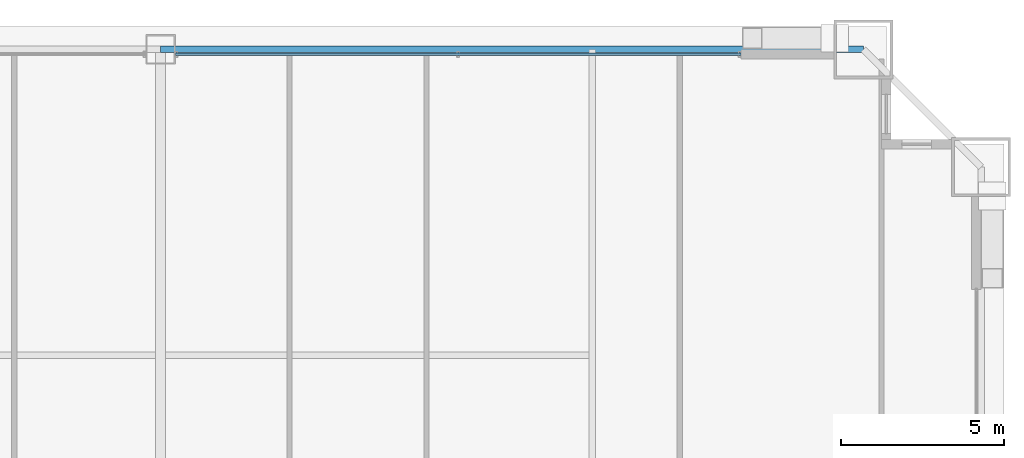
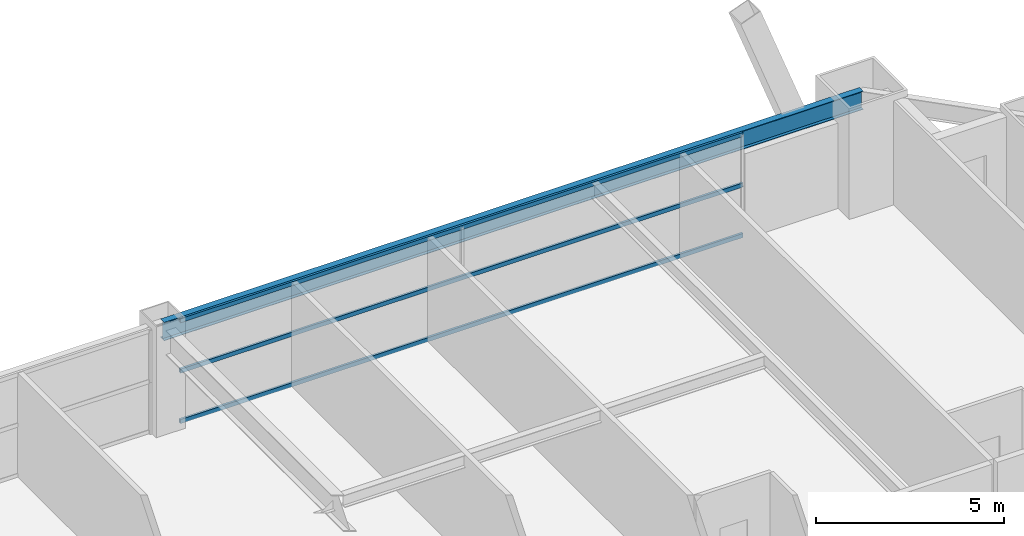
# One storey, part 36 of 43: 3 members, 1 beam, 1 element without a shape of its own.
"""IFC4 building model written with IfcOpenShell, lengths in metres."""

import ifcopenshell
import ifcopenshell.guid

model = None  # the IFC model being written
_history = None  # IfcOwnerHistory: only IFC2X3 demands one
_inside = {}  # id of a spatial element -> (the spatial element, [elements in it])
_under = {}  # id of a project, library or spatial element -> (it, [spatial elements below it])
_declared = {}  # id of a project -> (the project, [libraries it declares])
_typed = {}  # id of a type object -> (the type object, [elements of that type])
_made_of = {}  # id of a material, layer set ... -> (it, [elements and type objects made of it])


def new_model(schema):
    """Start an empty IFC model of exactly this schema.

    Asked for "IFC4X3", IfcOpenShell would pick the latest addendum, in which some entities
    have other attributes; the version numbers below select the first issue.
    IFC2X3 requires an IfcOwnerHistory on every rooted entity: one is made here for all.
    """
    global model, _history
    if schema == "IFC4X3":
        model = ifcopenshell.file(schema_version=(4, 3, 0, 0))
    else:
        model = ifcopenshell.file(schema=schema)
    _inside.clear()
    _under.clear()
    _declared.clear()
    _typed.clear()
    _made_of.clear()
    _history = None
    if model.schema == "IFC2X3":
        org = make("IfcOrganization", Name="unknown")
        user = make(
            "IfcPersonAndOrganization",
            ThePerson=make("IfcPerson", FamilyName="unknown"),
            TheOrganization=org,
        )
        app = make(
            "IfcApplication",
            ApplicationDeveloper=org,
            Version="unknown",
            ApplicationFullName="unknown",
            ApplicationIdentifier="unknown",
        )
        _history = make(
            "IfcOwnerHistory",
            OwningUser=user,
            OwningApplication=app,
            ChangeAction="ADDED",
            CreationDate=0,
        )
    return model


def make(cls, **values):
    """One entity of the class cls with the attributes given. An attribute that is None is left unset."""
    return model.create_entity(
        cls, **{name: value for name, value in values.items() if value is not None}
    )


def rooted(cls, **values):
    """An entity with a GlobalId (a new one), such as an element, a storey or a relation."""
    return make(cls, GlobalId=ifcopenshell.guid.new(), OwnerHistory=_history, **values)


def si_unit(unit_type, name, prefix=None):
    """IfcSIUnit, for example si_unit("LENGTHUNIT", "METRE", prefix="MILLI")."""
    return make("IfcSIUnit", UnitType=unit_type, Prefix=prefix, Name=name)


def assignment(units):
    """IfcUnitAssignment: the units of a project."""
    return None if units is None else make("IfcUnitAssignment", Units=units)


def point(xyz):
    """IfcCartesianPoint."""
    return None if xyz is None else make("IfcCartesianPoint", Coordinates=xyz)


def direction(xyz):
    """IfcDirection."""
    return None if xyz is None else make("IfcDirection", DirectionRatios=xyz)


def frame(location, z_axis=None, x_axis=None):
    """IfcAxis2Placement3D, a coordinate frame: its origin and axes. An axis left out is left unset."""
    return make(
        "IfcAxis2Placement3D",
        Location=point(location),
        Axis=direction(z_axis),
        RefDirection=direction(x_axis),
    )


def frame_2d(location, x_axis=None):
    """IfcAxis2Placement2D, a coordinate frame in the plane: its origin and x axis."""
    return make(
        "IfcAxis2Placement2D", Location=point(location), RefDirection=direction(x_axis)
    )


def origin():
    """The frame at (0, 0, 0) with its axes left unset."""
    return frame((0.0, 0.0, 0.0))


def origin_2d():
    """The frame at (0, 0) in the plane with its x axis left unset."""
    return frame_2d((0.0, 0.0))


def place(relative_to, where):
    """IfcLocalPlacement: puts the frame where relative to a parent placement (None: the world)."""
    return make(
        "IfcLocalPlacement", PlacementRelTo=relative_to, RelativePlacement=where
    )


def context(
    kind, dimensions, precision=None, world=None, true_north=None, identifier=None
):
    """IfcGeometricRepresentationContext, for example the 3D "Model" context."""
    return make(
        "IfcGeometricRepresentationContext",
        ContextIdentifier=identifier,
        ContextType=kind,
        CoordinateSpaceDimension=dimensions,
        Precision=precision,
        WorldCoordinateSystem=world,
        TrueNorth=true_north,
    )


def subcontext(parent, identifier, kind, view, scale=None):
    """IfcGeometricRepresentationSubContext, for example "Body" below "Model"."""
    return make(
        "IfcGeometricRepresentationSubContext",
        ContextIdentifier=identifier,
        ContextType=kind,
        ParentContext=parent,
        TargetScale=scale,
        TargetView=view,
    )


def project(units=None, contexts=None):
    """IfcProject with its units and contexts."""
    return rooted(
        "IfcProject",
        Name="project",
        RepresentationContexts=contexts,
        UnitsInContext=assignment(units),
    )


def spatial(cls, under=None, at=None, **own):
    """A site, building, storey or space (cls), placed at a placement, below another one or the project."""
    s = rooted(cls, ObjectPlacement=at, **own)
    if under is not None:
        _under.setdefault(under.id(), (under, []))[1].append(s)
    return s


def profile(cls, at=None, kind="AREA", **sizes):
    """A parametric profile (cls). Its sizes go by their IFC names, for example OverallWidth=200.0."""
    return make(cls, ProfileType=kind, Position=at, **sizes)


def hollow_rectangle(**sizes):
    """IfcRectangleHollowProfileDef."""
    return profile("IfcRectangleHollowProfileDef", **sizes)


def i_section(**sizes):
    """IfcIShapeProfileDef."""
    return profile("IfcIShapeProfileDef", **sizes)


def extrude(swept, where, along, depth):
    """IfcExtrudedAreaSolid: the profile swept, set in the frame where, extruded along a direction by depth."""
    return make(
        "IfcExtrudedAreaSolid",
        SweptArea=swept,
        Position=where,
        ExtrudedDirection=direction(along),
        Depth=depth,
    )


def shape(context_of_items, identifier, shape_type, items):
    """IfcShapeRepresentation: the items that make up one representation, for example the "Body"."""
    return make(
        "IfcShapeRepresentation",
        ContextOfItems=context_of_items,
        RepresentationIdentifier=identifier,
        RepresentationType=shape_type,
        Items=items,
    )


def source(mapping_origin, context_of_items, identifier, shape_type, items):
    """IfcRepresentationMap: a shape defined once, which mapped items show again and again."""
    return make(
        "IfcRepresentationMap",
        MappingOrigin=mapping_origin,
        MappedRepresentation=shape(context_of_items, identifier, shape_type, items),
    )


def transform(
    local_origin,
    x_axis=None,
    y_axis=None,
    z_axis=None,
    scale=None,
    scale2=None,
    scale3=None,
    uniform=True,
):
    """IfcCartesianTransformationOperator3D, or its non-uniform kind. x_axis, y_axis, z_axis: its Axis1, 2, 3."""
    if uniform:
        return make(
            "IfcCartesianTransformationOperator3D",
            Axis1=direction(x_axis),
            Axis2=direction(y_axis),
            LocalOrigin=point(local_origin),
            Scale=scale,
            Axis3=direction(z_axis),
        )
    return make(
        "IfcCartesianTransformationOperator3DnonUniform",
        Axis1=direction(x_axis),
        Axis2=direction(y_axis),
        LocalOrigin=point(local_origin),
        Scale=scale,
        Axis3=direction(z_axis),
        Scale2=scale2,
        Scale3=scale3,
    )


def mapped(mapping_source, mapping_target):
    """IfcMappedItem: shows the shape of a source again, moved by a transform."""
    return make(
        "IfcMappedItem", MappingSource=mapping_source, MappingTarget=mapping_target
    )


def material(Name=None, Category=None):
    """IfcMaterial."""
    return make("IfcMaterial", Name=Name, Category=Category)


def layer(
    of_material, thickness, ventilated=None, Name=None, Category=None, Priority=None
):
    """IfcMaterialLayer: one layer of a wall or slab, of a material (None: an air gap)."""
    return make(
        "IfcMaterialLayer",
        Material=of_material,
        LayerThickness=thickness,
        IsVentilated=ventilated,
        Name=Name,
        Category=Category,
        Priority=Priority,
    )


def layer_set(layers, Name=None):
    """IfcMaterialLayerSet."""
    return make("IfcMaterialLayerSet", MaterialLayers=layers, LayerSetName=Name)


def material_profile(
    of_material, cross_section, Name=None, Category=None, Priority=None
):
    """IfcMaterialProfile: a cross section and its material."""
    return make(
        "IfcMaterialProfile",
        Name=Name,
        Material=of_material,
        Profile=cross_section,
        Priority=Priority,
        Category=Category,
    )


def profile_set(profiles, Name=None, composite=None):
    """IfcMaterialProfileSet."""
    return make(
        "IfcMaterialProfileSet",
        Name=Name,
        MaterialProfiles=profiles,
        CompositeProfile=composite,
    )


def made_of(thing, what):
    """Note that an element or type object is made of a material, layer set ...; save() writes the relation."""
    if what is not None:
        _made_of.setdefault(what.id(), (what, []))[1].append(thing)
    return thing


def type_object(cls, material=None, **own):
    """A type object (cls), such as IfcWallType, which elements share."""
    return made_of(rooted(cls, **own), material)


def element(
    cls,
    number,
    at=None,
    inside=None,
    cuts=None,
    type_object=None,
    material=None,
    context=None,
    identifier="Body",
    shape_type=None,
    held_by="IfcProductDefinitionShape",
    body=None,
    shapes=None,
    **own,
):
    """One element of the class cls, such as IfcWall. Its Tag is "e" and its number.

    at: its placement. inside: the storey or other place that contains it. cuts: it is an
    opening in that element (IfcRelVoidsElement). A single representation is given by context,
    identifier, shape_type and body (its items); several are given by shapes. held_by: the class
    of the entity that holds the representations. save() writes the other relations.
    """
    e = rooted(cls, Tag="e%d" % number, ObjectPlacement=at, **own)
    if body is not None:
        shapes = [shape(context, identifier, shape_type, body)]
    if shapes is not None:
        e.Representation = make(held_by, Representations=shapes)
    if inside is not None:
        _inside.setdefault(inside.id(), (inside, []))[1].append(e)
    if cuts is not None:
        rooted(
            "IfcRelVoidsElement", RelatingBuildingElement=cuts, RelatedOpeningElement=e
        )
    if type_object is not None:
        _typed.setdefault(type_object.id(), (type_object, []))[1].append(e)
    return made_of(e, material)


def aggregate(whole, parts):
    """IfcRelAggregates: a whole, such as a stair, and the parts it consists of."""
    return rooted("IfcRelAggregates", RelatingObject=whole, RelatedObjects=parts)


def save(model, path):
    """Write the relations noted so far, then the file.

    IfcRelAggregates (storeys below a building ...), IfcRelContainedInSpatialStructure (elements
    in a storey), IfcRelDefinesByType, IfcRelAssociatesMaterial and IfcRelDeclares: one each for
    every whole, place, type object, material and project.
    """
    for whole, parts in _under.values():
        aggregate(whole, parts)
    for where, things in _inside.values():
        rooted(
            "IfcRelContainedInSpatialStructure",
            RelatedElements=things,
            RelatingStructure=where,
        )
    for kind, things in _typed.values():
        rooted("IfcRelDefinesByType", RelatedObjects=things, RelatingType=kind)
    for what, things in _made_of.values():
        rooted("IfcRelAssociatesMaterial", RelatedObjects=things, RelatingMaterial=what)
    for by, libraries in _declared.values():
        rooted("IfcRelDeclares", RelatingContext=by, RelatedDefinitions=libraries)
    model.write(path)


model = new_model("IFC4")

# Units and contexts
model_context = context("Model", 3, precision=1e-05, world=origin(), true_north=direction((0.0, 1.0)))
body_context = subcontext(model_context, "Body", "Model", "MODEL_VIEW")
ifc_project = project(units=[si_unit("LENGTHUNIT", "METRE"), si_unit("AREAUNIT", "SQUARE_METRE"), si_unit("VOLUMEUNIT", "CUBIC_METRE"), si_unit("PLANEANGLEUNIT", "RADIAN"), si_unit("MASSUNIT", "GRAM", prefix="KILO"), si_unit("THERMODYNAMICTEMPERATUREUNIT", "KELVIN"), si_unit("POWERUNIT", "WATT")], contexts=[model_context])

# Site, building, storey
site_placement = place(None, origin())
site = spatial("IfcSite", under=ifc_project, at=site_placement, CompositionType="ELEMENT")
building_placement = place(site_placement, origin())
building = spatial("IfcBuilding", under=site, at=building_placement, Name="Yuzanri Waterfront Tower", CompositionType="ELEMENT")
storey_placement = place(building_placement, frame((0.0, 0.0, 46.0)))
storey = spatial("IfcBuildingStorey", under=building, at=storey_placement, Name="L11", CompositionType="ELEMENT", Elevation=46.0)

# Beam
ifc_material_1 = material(Name="Steel Q355B", Category="steel")
ifc_material_profile_1 = material_profile(ifc_material_1, i_section(OverallWidth=0.199951171875, OverallDepth=0.60009765625, WebThickness=0.010986328125, FlangeThickness=0.01708984375, at=origin_2d()), Name="HN 600x200x11x17")
ifc_profile_set_1 = profile_set([ifc_material_profile_1], Name="Steel Q355B")
beam_type = type_object("IfcBeamType", Name="Perimeter Spandrel Q355B HN 600x200", PredefinedType="SPANDREL", material=ifc_profile_set_1)
shared_shape_1 = source(origin(), body_context, "Body", "SweptSolid", [
    extrude(i_section(OverallWidth=0.199951171875, OverallDepth=0.60009765625, WebThickness=0.010986328125, FlangeThickness=0.01708984375, at=origin_2d()), origin(), (0.0, 0.0, 1.0), 21.5),
])
beam_placement = place(storey_placement, frame((58.5, 50.89990234375, 3.080078125), z_axis=(-1.0, 0.0, 0.0), x_axis=(0.0, -1.0, 0.0)))
element("IfcBeam", 1, at=beam_placement, inside=storey, type_object=beam_type, Name="L11 Perimeter Spandrel N3-N2", PredefinedType="SPANDREL", context=body_context, shape_type="MappedRepresentation", body=[
    mapped(shared_shape_1, transform((0.0, 0.0, 0.0), scale=1.0)),
])

# Curtain wall, members
ifc_material_2 = material(Name="Anodized Architectural Bronze", Category="metal")
ifc_layer = layer(ifc_material_2, 0.159912109375)
ifc_layer_set = layer_set([ifc_layer], Name="Anodized Architectural Bronze")
curtain_wall_type = type_object("IfcCurtainWallType", Name="Anodized Bronze Hotel Lower-Tier Recessed Unitized Curtain Wall 8100", PredefinedType="NOTDEFINED", material=ifc_layer_set)
curtain_wall_placement = place(storey_placement, origin())
curtain_wall = element("IfcCurtainWall", 2, at=curtain_wall_placement, inside=storey, type_object=curtain_wall_type, Name="L11 Curtain Wall CW-L11-NR", PredefinedType="NOTDEFINED")
ifc_material_3 = material(Name="Anodized Architectural Bronze", Category="metal")
ifc_material_profile_2 = material_profile(ifc_material_3, hollow_rectangle(XDim=0.070068359375, YDim=0.135009765625, WallThickness=0.00341796875, at=origin_2d()), Name="CWT 70x135")
ifc_profile_set_2 = profile_set([ifc_material_profile_2], Name="Anodized Architectural Bronze")
member_type = type_object("IfcMemberType", Name="Anodized Bronze Standard Curtain-Wall Transom 70x135", PredefinedType="USERDEFINED", material=ifc_profile_set_2)
shared_shape_2 = source(origin(), body_context, "Body", "SweptSolid", [
    extrude(hollow_rectangle(XDim=0.070068359375, YDim=0.135009765625, WallThickness=0.00341796875, at=origin_2d()), origin(), (0.0, 0.0, 1.0), 17.300048828125),
])
member_1_placement = place(storey_placement, frame((37.449951171875, 50.75, 0.050048828125), z_axis=(1.0, 0.0, 0.0), x_axis=(0.0, 1.0, 0.0)))
member_1 = element("IfcMember", 3, at=member_1_placement, type_object=member_type, Name="CW-L11-NR Transom 1", ObjectType="TRANSOM", PredefinedType="USERDEFINED", context=body_context, shape_type="MappedRepresentation", body=[
    mapped(shared_shape_2, transform((0.0, 0.0, 0.0), scale=1.0)),
])
member_2_placement = place(storey_placement, frame((37.449951171875, 50.75, 1.68994140625), z_axis=(1.0, 0.0, 0.0), x_axis=(0.0, 1.0, 0.0)))
member_2 = element("IfcMember", 4, at=member_2_placement, type_object=member_type, Name="CW-L11-NR Transom 2", ObjectType="TRANSOM", PredefinedType="USERDEFINED", context=body_context, shape_type="MappedRepresentation", body=[
    mapped(shared_shape_2, transform((0.0, 0.0, 0.0), scale=1.0)),
])
member_3_placement = place(storey_placement, frame((37.449951171875, 50.75, 3.330078125), z_axis=(1.0, 0.0, 0.0), x_axis=(0.0, 1.0, 0.0)))
member_3 = element("IfcMember", 5, at=member_3_placement, type_object=member_type, Name="CW-L11-NR Transom 3", ObjectType="TRANSOM", PredefinedType="USERDEFINED", context=body_context, shape_type="MappedRepresentation", body=[
    mapped(shared_shape_2, transform((0.0, 0.0, 0.0), scale=1.0)),
])
aggregate(curtain_wall, [member_1, member_2, member_3])

save(model, "model.ifc")
